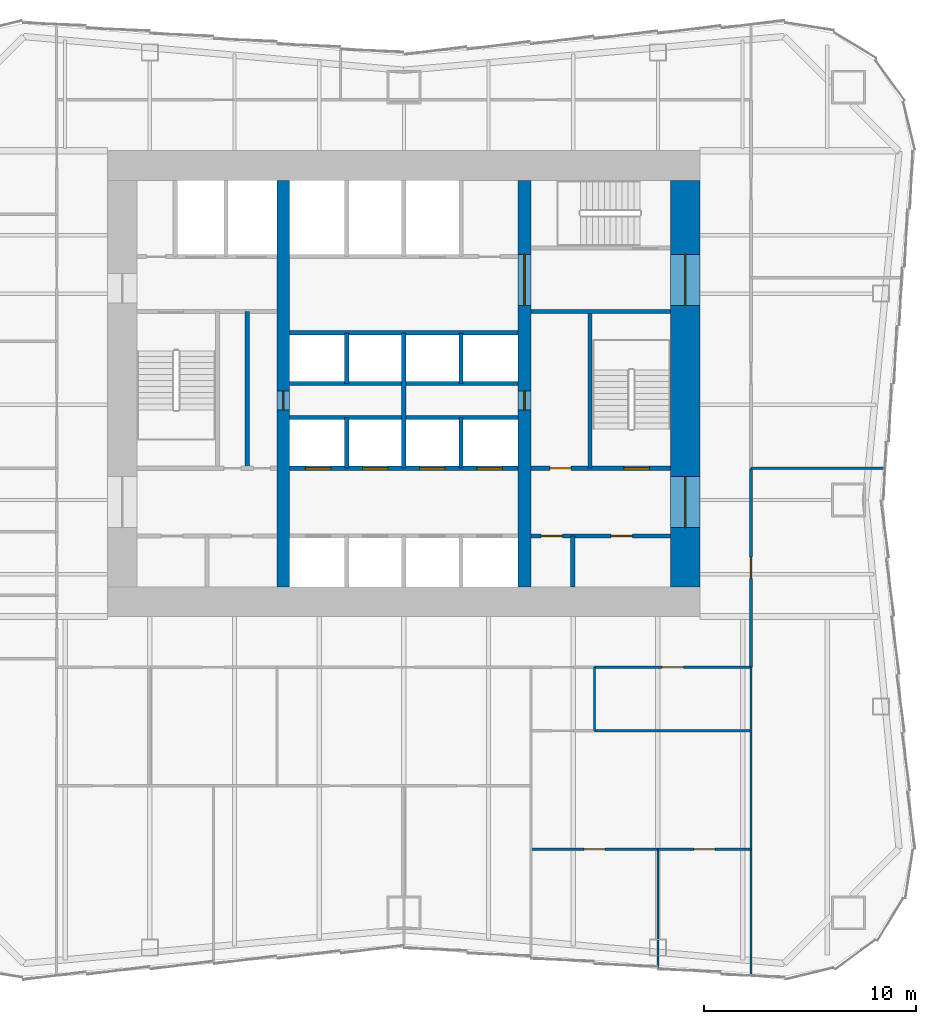
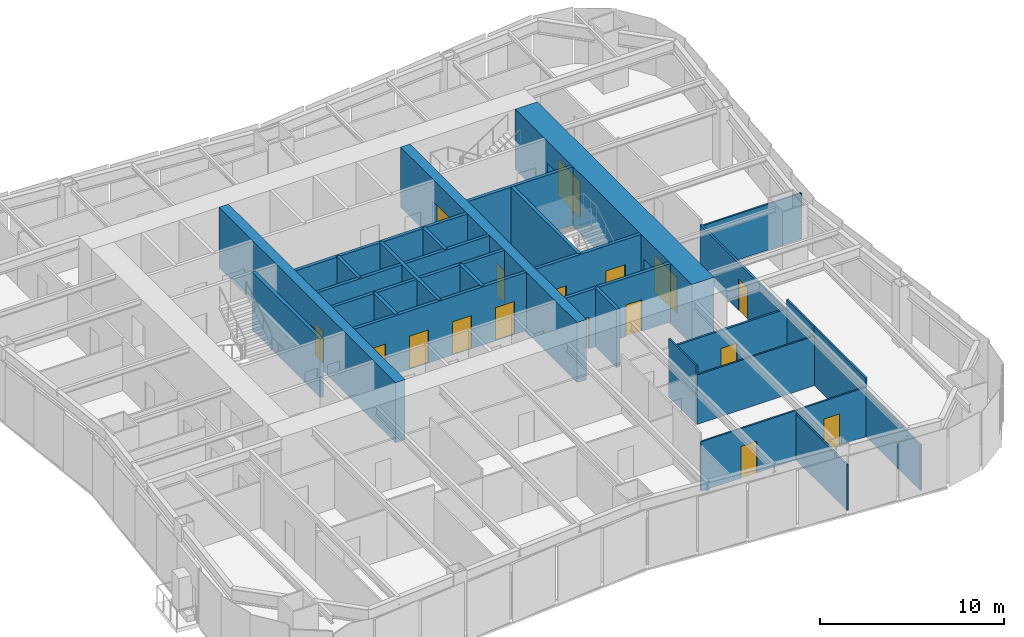
# One storey, part 5 of 8: 29 walls, 17 doors, 17 openings.
"""IFC4 building model written with IfcOpenShell, lengths in metres."""

from ifc_helpers import new_model, si_unit, direction, frame, frame_2d, origin, place, context, subcontext, project, spatial, rectangle, extrude, material, layer, layer_set, type_object, element, fill, save


model = new_model("IFC4")

# Units and contexts
model_context = context("Model", 3, precision=1e-05, world=origin(), true_north=direction((0.0, 1.0)))
body_context = subcontext(model_context, "Body", "Model", "MODEL_VIEW")
ifc_project = project(units=[si_unit("LENGTHUNIT", "METRE"), si_unit("AREAUNIT", "SQUARE_METRE"), si_unit("VOLUMEUNIT", "CUBIC_METRE"), si_unit("PLANEANGLEUNIT", "RADIAN"), si_unit("MASSUNIT", "GRAM", prefix="KILO")], contexts=[model_context])

# Site, building, storey
site_placement = place(None, origin())
site = spatial("IfcSite", under=ifc_project, at=site_placement, CompositionType="ELEMENT")
building_placement = place(site_placement, origin())
building = spatial("IfcBuilding", under=site, at=building_placement, Name="Verdant Reach Tower", CompositionType="ELEMENT")
storey_placement = place(building_placement, frame((0.0, 0.0, 22.0)))
storey = spatial("IfcBuildingStorey", under=building, at=storey_placement, Name="L04", CompositionType="ELEMENT", Elevation=22.0)

# Wall, openings, doors
ifc_material_1 = material(Name="Gypsum board on steel studs", Category="steel")
ifc_layer_1 = layer(ifc_material_1, 0.199951171875)
ifc_layer_set_1 = layer_set([ifc_layer_1], Name="CO-WALL-ROOM")
wall_type_1 = type_object("IfcWallType", Name="CO-WALL-ROOM", PredefinedType="PARTITIONING", material=ifc_layer_set_1)
wall_1_placement = place(storey_placement, frame((6.0, 20.800048828125, 0.0), z_axis=(0.0, 0.0, 1.0), x_axis=(1.0, 0.0, 0.0)))
wall_1 = element("IfcWall", 1, at=wall_1_placement, inside=storey, type_object=wall_type_1, Name="Core partition, L04", PredefinedType="PARTITIONING", context=body_context, shape_type="SweptSolid", body=[
    extrude(rectangle(XDim=6.60009765625, YDim=0.199951171875, at=frame_2d((3.300048828125, 0.0))), origin(), (0.0, 0.0, 1.0), 3.8701171875),
])
opening_1_placement = place(wall_1_placement, frame((0.489990234375, 0.0, 0.0)))
opening_1 = element("IfcOpeningElement", 2, at=opening_1_placement, cuts=wall_1, Name="Opening CD", PredefinedType="OPENING", context=body_context, shape_type="SweptSolid", body=[
    extrude(rectangle(XDim=1.0, YDim=2.10009765625, at=frame_2d((0.5, 1.050048828125))), frame((0.0, 0.10986328125, 0.0), z_axis=(0.0, -1.0, 0.0), x_axis=(1.0, 0.0, 0.0)), (0.0, 0.0, 1.0), 0.219970703125),
])
opening_2_placement = place(wall_1_placement, frame((3.7900390625, 0.0, 0.0)))
opening_2 = element("IfcOpeningElement", 3, at=opening_2_placement, cuts=wall_1, Name="Opening CD", PredefinedType="OPENING", context=body_context, shape_type="SweptSolid", body=[
    extrude(rectangle(XDim=1.0, YDim=2.10009765625, at=frame_2d((0.5, 1.050048828125))), frame((0.0, 0.10986328125, 0.0), z_axis=(0.0, -1.0, 0.0), x_axis=(1.0, 0.0, 0.0)), (0.0, 0.0, 1.0), 0.219970703125),
])
ifc_material_2 = material(Name="Timber", Category="wood")
door_type_1 = type_object("IfcDoorType", Name="CO-DOOR-ROOM", OperationType="NOTDEFINED", PredefinedType="DOOR", material=ifc_material_2)
door_1_placement = place(opening_1_placement, origin())
door_1 = element("IfcDoor", 4, at=door_1_placement, inside=storey, type_object=door_type_1, Name="Core room door, L04", OperationType="SINGLE_SWING_RIGHT", OverallHeight=2.10009765625, OverallWidth=1.0, PredefinedType="DOOR", context=body_context, shape_type="SweptSolid", body=[
    extrude(rectangle(XDim=1.0, YDim=2.10009765625, at=frame_2d((0.5, 1.050048828125))), frame((0.0, 0.02490234375, 0.0), z_axis=(0.0, -1.0, 0.0), x_axis=(1.0, 0.0, 0.0)), (0.0, 0.0, 1.0), 0.050048828125),
])
fill(opening_1, door_1)
door_2_placement = place(opening_2_placement, origin())
door_2 = element("IfcDoor", 5, at=door_2_placement, inside=storey, type_object=door_type_1, Name="Core room door, L04", OperationType="SINGLE_SWING_RIGHT", OverallHeight=2.10009765625, OverallWidth=1.0, PredefinedType="DOOR", context=body_context, shape_type="SweptSolid", body=[
    extrude(rectangle(XDim=1.0, YDim=2.10009765625, at=frame_2d((0.5, 1.050048828125))), frame((0.0, 0.02490234375, 0.0), z_axis=(0.0, -1.0, 0.0), x_axis=(1.0, 0.0, 0.0)), (0.0, 0.0, 1.0), 0.050048828125),
])
fill(opening_2, door_2)

# Walls
wall_2_placement = place(storey_placement, frame((-7.39990234375, 24.0, 0.0), z_axis=(0.0, 0.0, 1.0), x_axis=(0.0, 1.0, 0.0)))
element("IfcWall", 6, at=wall_2_placement, inside=storey, type_object=wall_type_1, Name="Core partition, L04", PredefinedType="PARTITIONING", context=body_context, shape_type="SweptSolid", body=[
    extrude(rectangle(XDim=7.39990234375, YDim=0.199951171875, at=frame_2d((3.699951171875, 0.0))), origin(), (0.0, 0.0, 1.0), 3.8701171875),
])
wall_3_placement = place(storey_placement, frame((7.97998046875, 18.39990234375, 0.0), z_axis=(0.0, 0.0, 1.0), x_axis=(0.0, 1.0, 0.0)))
element("IfcWall", 7, at=wall_3_placement, inside=storey, type_object=wall_type_1, Name="Core partition, L04", PredefinedType="PARTITIONING", context=body_context, shape_type="SweptSolid", body=[
    extrude(rectangle(XDim=2.400146484375, YDim=0.199951171875, at=frame_2d((1.2001953125, 0.0))), origin(), (0.0, 0.0, 1.0), 3.8701171875),
])

# Wall, openings, doors
ifc_material_3 = material(Name="Concrete C40/50", Category="concrete")
ifc_layer_2 = layer(ifc_material_3, 0.199951171875)
ifc_layer_set_2 = layer_set([ifc_layer_2], Name="CO-WALL-SHAFT")
wall_type_2 = type_object("IfcWallType", Name="CO-WALL-SHAFT", PredefinedType="PARTITIONING", material=ifc_layer_set_2)
wall_4_placement = place(storey_placement, frame((-5.39990234375, 24.0, 0.0), z_axis=(0.0, 0.0, 1.0), x_axis=(1.0, 0.0, 0.0)))
wall_4 = element("IfcWall", 8, at=wall_4_placement, inside=storey, type_object=wall_type_2, Name="Lift shaft wall, L04", PredefinedType="PARTITIONING", context=body_context, shape_type="SweptSolid", body=[
    extrude(rectangle(XDim=10.7998046875, YDim=0.199951171875, at=frame_2d((5.39990234375, 0.0))), origin(), (0.0, 0.0, 1.0), 3.8701171875),
])
opening_3_placement = place(wall_4_placement, frame((0.75, 0.0, 0.0)))
opening_3 = element("IfcOpeningElement", 9, at=opening_3_placement, cuts=wall_4, Name="Opening LD-A5", PredefinedType="OPENING", context=body_context, shape_type="SweptSolid", body=[
    extrude(rectangle(XDim=1.199951171875, YDim=2.199951171875, at=frame_2d((0.60009765625, 1.10009765625))), frame((0.0, 0.10986328125, 0.0), z_axis=(0.0, -1.0, 0.0), x_axis=(1.0, 0.0, 0.0)), (0.0, 0.0, 1.0), 0.219970703125),
])
opening_4_placement = place(wall_4_placement, frame((3.449951171875, 0.0, 0.0)))
opening_4 = element("IfcOpeningElement", 10, at=opening_4_placement, cuts=wall_4, Name="Opening LD-A6", PredefinedType="OPENING", context=body_context, shape_type="SweptSolid", body=[
    extrude(rectangle(XDim=1.199951171875, YDim=2.199951171875, at=frame_2d((0.60009765625, 1.10009765625))), frame((0.0, 0.10986328125, 0.0), z_axis=(0.0, -1.0, 0.0), x_axis=(1.0, 0.0, 0.0)), (0.0, 0.0, 1.0), 0.219970703125),
])
opening_5_placement = place(wall_4_placement, frame((6.14990234375, 0.0, 0.0)))
opening_5 = element("IfcOpeningElement", 11, at=opening_5_placement, cuts=wall_4, Name="Opening LD-A7", PredefinedType="OPENING", context=body_context, shape_type="SweptSolid", body=[
    extrude(rectangle(XDim=1.199951171875, YDim=2.199951171875, at=frame_2d((0.60009765625, 1.10009765625))), frame((0.0, 0.10986328125, 0.0), z_axis=(0.0, -1.0, 0.0), x_axis=(1.0, 0.0, 0.0)), (0.0, 0.0, 1.0), 0.219970703125),
])
opening_6_placement = place(wall_4_placement, frame((8.85009765625, 0.0, 0.0)))
opening_6 = element("IfcOpeningElement", 12, at=opening_6_placement, cuts=wall_4, Name="Opening LD-A8", PredefinedType="OPENING", context=body_context, shape_type="SweptSolid", body=[
    extrude(rectangle(XDim=1.199951171875, YDim=2.199951171875, at=frame_2d((0.60009765625, 1.10009765625))), frame((0.0, 0.10986328125, 0.0), z_axis=(0.0, -1.0, 0.0), x_axis=(1.0, 0.0, 0.0)), (0.0, 0.0, 1.0), 0.219970703125),
])
ifc_material_4 = material(Name="Stainless steel", Category="steel")
door_type_2 = type_object("IfcDoorType", Name="CO-DOOR-LANDING", OperationType="SLIDING_TO_LEFT", PredefinedType="DOOR", material=ifc_material_4)
door_3_placement = place(opening_3_placement, origin())
door_3 = element("IfcDoor", 13, at=door_3_placement, inside=storey, type_object=door_type_2, Name="Landing door A5, L04", OperationType="SLIDING_TO_LEFT", OverallHeight=2.199951171875, OverallWidth=1.199951171875, PredefinedType="DOOR", context=body_context, shape_type="SweptSolid", body=[
    extrude(rectangle(XDim=1.199951171875, YDim=2.199951171875, at=frame_2d((0.60009765625, 1.10009765625))), frame((0.0, 0.02490234375, 0.0), z_axis=(0.0, -1.0, 0.0), x_axis=(1.0, 0.0, 0.0)), (0.0, 0.0, 1.0), 0.050048828125),
])
fill(opening_3, door_3)
door_4_placement = place(opening_4_placement, origin())
door_4 = element("IfcDoor", 14, at=door_4_placement, inside=storey, type_object=door_type_2, Name="Landing door A6, L04", OperationType="SLIDING_TO_LEFT", OverallHeight=2.199951171875, OverallWidth=1.199951171875, PredefinedType="DOOR", context=body_context, shape_type="SweptSolid", body=[
    extrude(rectangle(XDim=1.199951171875, YDim=2.199951171875, at=frame_2d((0.60009765625, 1.10009765625))), frame((0.0, 0.02490234375, 0.0), z_axis=(0.0, -1.0, 0.0), x_axis=(1.0, 0.0, 0.0)), (0.0, 0.0, 1.0), 0.050048828125),
])
fill(opening_4, door_4)
door_5_placement = place(opening_5_placement, origin())
door_5 = element("IfcDoor", 15, at=door_5_placement, inside=storey, type_object=door_type_2, Name="Landing door A7, L04", OperationType="SLIDING_TO_LEFT", OverallHeight=2.199951171875, OverallWidth=1.199951171875, PredefinedType="DOOR", context=body_context, shape_type="SweptSolid", body=[
    extrude(rectangle(XDim=1.199951171875, YDim=2.199951171875, at=frame_2d((0.60009765625, 1.10009765625))), frame((0.0, 0.02490234375, 0.0), z_axis=(0.0, -1.0, 0.0), x_axis=(1.0, 0.0, 0.0)), (0.0, 0.0, 1.0), 0.050048828125),
])
fill(opening_5, door_5)
door_6_placement = place(opening_6_placement, origin())
door_6 = element("IfcDoor", 16, at=door_6_placement, inside=storey, type_object=door_type_2, Name="Landing door A8, L04", OperationType="SLIDING_TO_LEFT", OverallHeight=2.199951171875, OverallWidth=1.199951171875, PredefinedType="DOOR", context=body_context, shape_type="SweptSolid", body=[
    extrude(rectangle(XDim=1.199951171875, YDim=2.199951171875, at=frame_2d((0.60009765625, 1.10009765625))), frame((0.0, 0.02490234375, 0.0), z_axis=(0.0, -1.0, 0.0), x_axis=(1.0, 0.0, 0.0)), (0.0, 0.0, 1.0), 0.050048828125),
])
fill(opening_6, door_6)

# Walls
for number, where, z_axis, x_axis, name in (
    (17, (-5.39990234375, 26.39990234375, 0.0), (0.0, 0.0, 1.0), (1.0, 0.0, 0.0), "Lift shaft wall, L04"),
    (18, (-5.39990234375, 28.0, 0.0), (0.0, 0.0, 1.0), (1.0, 0.0, 0.0), "Lift shaft wall, L04"),
    (19, (-5.39990234375, 30.39990234375, 0.0), (0.0, 0.0, 1.0), (1.0, 0.0, 0.0), "Lift shaft wall, L04"),
):
    element("IfcWall", number, at=place(storey_placement, frame(where, z_axis=z_axis, x_axis=x_axis)), inside=storey, type_object=wall_type_2, Name=name, PredefinedType="PARTITIONING", context=body_context, shape_type="SweptSolid", body=[
        extrude(rectangle(XDim=10.7998046875, YDim=0.199951171875, at=frame_2d((5.39990234375, 0.0))), origin(), (0.0, 0.0, 1.0), 3.8701171875),
    ])
for number, where, z_axis, x_axis, name in (
    (20, (-2.699951171875, 24.0, 0.0), (0.0, 0.0, 1.0), (0.0, 1.0, 0.0), "Lift shaft wall, L04"),
    (21, (-2.699951171875, 28.0, 0.0), (0.0, 0.0, 1.0), (0.0, 1.0, 0.0), "Lift shaft wall, L04"),
):
    element("IfcWall", number, at=place(storey_placement, frame(where, z_axis=z_axis, x_axis=x_axis)), inside=storey, type_object=wall_type_2, Name=name, PredefinedType="PARTITIONING", context=body_context, shape_type="SweptSolid", body=[
        extrude(rectangle(XDim=2.39990234375, YDim=0.199951171875, at=frame_2d((1.199951171875, 0.0))), origin(), (0.0, 0.0, 1.0), 3.8701171875),
    ])
wall_5_placement = place(storey_placement, frame((0.0, 24.0, 0.0), z_axis=(0.0, 0.0, 1.0), x_axis=(0.0, 1.0, 0.0)))
element("IfcWall", 22, at=wall_5_placement, inside=storey, type_object=wall_type_2, Name="Lift shaft wall, L04", PredefinedType="PARTITIONING", context=body_context, shape_type="SweptSolid", body=[
    extrude(rectangle(XDim=6.39990234375, YDim=0.199951171875, at=frame_2d((3.199951171875, 0.0))), origin(), (0.0, 0.0, 1.0), 3.8701171875),
])
for number, where, z_axis, x_axis, name in (
    (23, (2.699951171875, 24.0, 0.0), (0.0, 0.0, 1.0), (0.0, 1.0, 0.0), "Lift shaft wall, L04"),
    (24, (2.699951171875, 28.0, 0.0), (0.0, 0.0, 1.0), (0.0, 1.0, 0.0), "Lift shaft wall, L04"),
):
    element("IfcWall", number, at=place(storey_placement, frame(where, z_axis=z_axis, x_axis=x_axis)), inside=storey, type_object=wall_type_2, Name=name, PredefinedType="PARTITIONING", context=body_context, shape_type="SweptSolid", body=[
        extrude(rectangle(XDim=2.39990234375, YDim=0.199951171875, at=frame_2d((1.199951171875, 0.0))), origin(), (0.0, 0.0, 1.0), 3.8701171875),
    ])

# Wall, openings, doors
ifc_layer_3 = layer(ifc_material_3, 0.199951171875)
ifc_layer_set_3 = layer_set([ifc_layer_3], Name="CO-WALL-STAIR")
wall_type_3 = type_object("IfcWallType", Name="CO-WALL-STAIR", PredefinedType="PARTITIONING", material=ifc_layer_set_3)
wall_6_placement = place(storey_placement, frame((6.0, 24.0, 0.0), z_axis=(0.0, 0.0, 1.0), x_axis=(1.0, 0.0, 0.0)))
wall_6 = element("IfcWall", 25, at=wall_6_placement, inside=storey, type_object=wall_type_3, Name="Stair enclosure wall, L04", PredefinedType="PARTITIONING", context=body_context, shape_type="SweptSolid", body=[
    extrude(rectangle(XDim=6.60009765625, YDim=0.199951171875, at=frame_2d((3.300048828125, 0.0))), origin(), (0.0, 0.0, 1.0), 3.8701171875),
])
opening_7_placement = place(wall_6_placement, frame((0.89990234375, 0.0, 0.0)))
opening_7 = element("IfcOpeningElement", 26, at=opening_7_placement, cuts=wall_6, Name="Opening CD", PredefinedType="OPENING", context=body_context, shape_type="SweptSolid", body=[
    extrude(rectangle(XDim=1.0, YDim=2.10009765625, at=frame_2d((0.5, 1.050048828125))), frame((0.0, 0.10986328125, 0.0), z_axis=(0.0, -1.0, 0.0), x_axis=(1.0, 0.0, 0.0)), (0.0, 0.0, 1.0), 0.219970703125),
])
opening_8_placement = place(wall_6_placement, frame((4.39990234375, 0.0, 0.0)))
opening_8 = element("IfcOpeningElement", 27, at=opening_8_placement, cuts=wall_6, Name="Opening SD", PredefinedType="OPENING", context=body_context, shape_type="SweptSolid", body=[
    extrude(rectangle(XDim=1.199951171875, YDim=2.199951171875, at=frame_2d((0.60009765625, 1.10009765625))), frame((0.0, 0.10986328125, 0.0), z_axis=(0.0, -1.0, 0.0), x_axis=(1.0, 0.0, 0.0)), (0.0, 0.0, 1.0), 0.219970703125),
])
door_7_placement = place(opening_7_placement, origin())
door_7 = element("IfcDoor", 28, at=door_7_placement, inside=storey, type_object=door_type_1, Name="Core room door, L04", OperationType="SINGLE_SWING_RIGHT", OverallHeight=2.10009765625, OverallWidth=1.0, PredefinedType="DOOR", context=body_context, shape_type="SweptSolid", body=[
    extrude(rectangle(XDim=1.0, YDim=2.10009765625, at=frame_2d((0.5, 1.050048828125))), frame((0.0, 0.02490234375, 0.0), z_axis=(0.0, -1.0, 0.0), x_axis=(1.0, 0.0, 0.0)), (0.0, 0.0, 1.0), 0.050048828125),
])
fill(opening_7, door_7)
ifc_material_5 = material(Name="Steel", Category="steel")
door_type_3 = type_object("IfcDoorType", Name="CO-DOOR-STAIR", OperationType="NOTDEFINED", PredefinedType="DOOR", material=ifc_material_5)
door_8_placement = place(opening_8_placement, origin())
door_8 = element("IfcDoor", 29, at=door_8_placement, inside=storey, type_object=door_type_3, Name="Stair door, L04", OperationType="SINGLE_SWING_LEFT", OverallHeight=2.199951171875, OverallWidth=1.199951171875, PredefinedType="DOOR", context=body_context, shape_type="SweptSolid", body=[
    extrude(rectangle(XDim=1.199951171875, YDim=2.199951171875, at=frame_2d((0.60009765625, 1.10009765625))), frame((0.0, 0.02490234375, 0.0), z_axis=(0.0, -1.0, 0.0), x_axis=(1.0, 0.0, 0.0)), (0.0, 0.0, 1.0), 0.050048828125),
])
fill(opening_8, door_8)

# Walls
wall_7_placement = place(storey_placement, frame((6.0, 31.39990234375, 0.0), z_axis=(0.0, 0.0, 1.0), x_axis=(1.0, 0.0, 0.0)))
element("IfcWall", 30, at=wall_7_placement, inside=storey, type_object=wall_type_3, Name="Stair enclosure wall, L04", PredefinedType="PARTITIONING", context=body_context, shape_type="SweptSolid", body=[
    extrude(rectangle(XDim=6.60009765625, YDim=0.199951171875, at=frame_2d((3.300048828125, 0.0))), origin(), (0.0, 0.0, 1.0), 3.8701171875),
])
wall_8_placement = place(storey_placement, frame((8.800048828125, 24.0, 0.0), z_axis=(0.0, 0.0, 1.0), x_axis=(0.0, 1.0, 0.0)))
element("IfcWall", 31, at=wall_8_placement, inside=storey, type_object=wall_type_3, Name="Stair enclosure wall, L04", PredefinedType="PARTITIONING", context=body_context, shape_type="SweptSolid", body=[
    extrude(rectangle(XDim=7.39990234375, YDim=0.199951171875, at=frame_2d((3.699951171875, 0.0))), origin(), (0.0, 0.0, 1.0), 3.8701171875),
])
ifc_layer_4 = layer(ifc_material_1, 0.10009765625)
ifc_layer_set_4 = layer_set([ifc_layer_4], Name="FL-W1 Partition 100")
wall_type_4 = type_object("IfcWallType", Name="FL-W1 Partition 100", PredefinedType="PARTITIONING", material=ifc_layer_set_4)
wall_9_placement = place(storey_placement, frame((9.0, 11.60009765625, 0.0), z_axis=(0.0, 0.0, 1.0), x_axis=(0.0, 1.0, 0.0)))
element("IfcWall", 32, at=wall_9_placement, inside=storey, type_object=wall_type_4, Name="Partition 04.33", PredefinedType="PARTITIONING", context=body_context, shape_type="SweptSolid", body=[
    extrude(rectangle(XDim=3.0, YDim=0.10009765625, at=frame_2d((1.5, 0.0))), origin(), (0.0, 0.0, 1.0), 3.8701171875),
])
wall_10_placement = place(storey_placement, frame((8.99609375, 11.60009765625, 0.0), z_axis=(0.0, 0.0, 1.0), x_axis=(1.0, 0.0, 0.0)))
element("IfcWall", 33, at=wall_10_placement, inside=storey, type_object=wall_type_4, Name="Partition 04.35", PredefinedType="PARTITIONING", context=body_context, shape_type="SweptSolid", body=[
    extrude(rectangle(XDim=7.40380859375, YDim=0.10009765625, at=frame_2d((3.701904296875, 0.0))), origin(), (0.0, 0.0, 1.0), 3.2900390625),
])
wall_11_placement = place(storey_placement, frame((16.39990234375, 11.595947265625, 0.0), z_axis=(0.0, 0.0, 1.0), x_axis=(0.0, 1.0, 0.0)))
element("IfcWall", 34, at=wall_11_placement, inside=storey, type_object=wall_type_4, Name="Partition 04.36", PredefinedType="PARTITIONING", context=body_context, shape_type="SweptSolid", body=[
    extrude(rectangle(XDim=3.008056640625, YDim=0.10009765625, at=frame_2d((1.50390625, 0.0))), origin(), (0.0, 0.0, 1.0), 3.8701171875),
])

# Wall, opening, door
wall_12_placement = place(storey_placement, frame((12.0, 6.0, 0.0), z_axis=(0.0, 0.0, 1.0), x_axis=(-1.0, 0.0, 0.0)))
wall_12 = element("IfcWall", 35, at=wall_12_placement, inside=storey, type_object=wall_type_4, Name="Partition 04.37", PredefinedType="PARTITIONING", context=body_context, shape_type="SweptSolid", body=[
    extrude(rectangle(XDim=6.0, YDim=0.10009765625, at=frame_2d((3.0, 0.0))), origin(), (0.0, 0.0, 1.0), 3.2900390625),
])
opening_9_placement = place(wall_12_placement, frame((2.5, 0.0, 0.0)))
opening_9 = element("IfcOpeningElement", 36, at=opening_9_placement, cuts=wall_12, Name="Opening D3", PredefinedType="OPENING", context=body_context, shape_type="SweptSolid", body=[
    extrude(rectangle(XDim=1.0, YDim=2.10009765625, at=frame_2d((0.5, 1.050048828125))), frame((0.0, 0.06005859375, 0.0), z_axis=(0.0, -1.0, 0.0), x_axis=(1.0, 0.0, 0.0)), (0.0, 0.0, 1.0), 0.1201171875),
])
ifc_material_6 = material(Name="Painted timber door leaf", Category="wood")
door_type_4 = type_object("IfcDoorType", Name="FL-D3 Door 1000x2100", OperationType="NOTDEFINED", PredefinedType="DOOR", material=ifc_material_6)
door_9_placement = place(opening_9_placement, origin())
door_9 = element("IfcDoor", 37, at=door_9_placement, inside=storey, type_object=door_type_4, Name="Door 04-022", OperationType="SINGLE_SWING_RIGHT", OverallHeight=2.10009765625, OverallWidth=1.0, PredefinedType="DOOR", context=body_context, shape_type="SweptSolid", body=[
    extrude(rectangle(XDim=1.0, YDim=2.10009765625, at=frame_2d((0.5, 1.050048828125))), frame((0.0, 0.02490234375, 0.0), z_axis=(0.0, -1.0, 0.0), x_axis=(1.0, 0.0, 0.0)), (0.0, 0.0, 1.0), 0.050048828125),
])
fill(opening_9, door_9)

wall_13_placement = place(storey_placement, frame((16.39990234375, 6.0, 0.0), z_axis=(0.0, 0.0, 1.0), x_axis=(-1.0, 0.0, 0.0)))
wall_13 = element("IfcWall", 38, at=wall_13_placement, inside=storey, type_object=wall_type_4, Name="Partition 04.38", PredefinedType="PARTITIONING", context=body_context, shape_type="SweptSolid", body=[
    extrude(rectangle(XDim=4.39990234375, YDim=0.10009765625, at=frame_2d((2.199951171875, 0.0))), origin(), (0.0, 0.0, 1.0), 3.2900390625),
])
opening_10_placement = place(wall_13_placement, frame((1.699951171875, 0.0, 0.0)))
opening_10 = element("IfcOpeningElement", 39, at=opening_10_placement, cuts=wall_13, Name="Opening D3", PredefinedType="OPENING", context=body_context, shape_type="SweptSolid", body=[
    extrude(rectangle(XDim=1.0, YDim=2.10009765625, at=frame_2d((0.5, 1.050048828125))), frame((0.0, 0.06005859375, 0.0), z_axis=(0.0, -1.0, 0.0), x_axis=(1.0, 0.0, 0.0)), (0.0, 0.0, 1.0), 0.1201171875),
])
door_10_placement = place(opening_10_placement, origin())
door_10 = element("IfcDoor", 40, at=door_10_placement, inside=storey, type_object=door_type_4, Name="Door 04-023", OperationType="SINGLE_SWING_LEFT", OverallHeight=2.10009765625, OverallWidth=1.0, PredefinedType="DOOR", context=body_context, shape_type="SweptSolid", body=[
    extrude(rectangle(XDim=1.0, YDim=2.10009765625, at=frame_2d((0.5, 1.050048828125))), frame((0.0, 0.02490234375, 0.0), z_axis=(0.0, -1.0, 0.0), x_axis=(1.0, 0.0, 0.0)), (0.0, 0.0, 1.0), 0.050048828125),
])
fill(opening_10, door_10)

# Walls
wall_14_placement = place(storey_placement, frame((16.39990234375, 5.99609375, 0.0), z_axis=(0.0, 0.0, 1.0), x_axis=(0.0, 1.0, 0.0)))
element("IfcWall", 41, at=wall_14_placement, inside=storey, type_object=wall_type_4, Name="Partition 04.39", PredefinedType="PARTITIONING", context=body_context, shape_type="SweptSolid", body=[
    extrude(rectangle(XDim=5.60791015625, YDim=0.10009765625, at=frame_2d((2.803955078125, 0.0))), origin(), (0.0, 0.0, 1.0), 3.8701171875),
])
wall_15_placement = place(storey_placement, frame((12.0, 0.419921875, 0.0), z_axis=(0.0, 0.0, 1.0), x_axis=(0.0, 1.0, 0.0)))
element("IfcWall", 42, at=wall_15_placement, inside=storey, type_object=wall_type_4, Name="Partition 04.40", PredefinedType="PARTITIONING", context=body_context, shape_type="SweptSolid", body=[
    extrude(rectangle(XDim=5.580078125, YDim=0.10009765625, at=frame_2d((2.7900390625, 0.0))), origin(), (0.0, 0.0, 1.0), 3.0400390625),
])
wall_16_placement = place(storey_placement, frame((16.39990234375, 0.05322265625, 0.0), z_axis=(0.0, 0.0, 1.0), x_axis=(0.0, 1.0, 0.0)))
element("IfcWall", 43, at=wall_16_placement, inside=storey, type_object=wall_type_4, Name="Partition 04.41", PredefinedType="PARTITIONING", context=body_context, shape_type="SweptSolid", body=[
    extrude(rectangle(XDim=5.95068359375, YDim=0.10009765625, at=frame_2d((2.975341796875, 0.0))), origin(), (0.0, 0.0, 1.0), 3.0400390625),
])
wall_17_placement = place(storey_placement, frame((22.71630859375, 24.0, 0.0), z_axis=(0.0, 0.0, 1.0), x_axis=(-1.0, 0.0, 0.0)))
element("IfcWall", 44, at=wall_17_placement, inside=storey, type_object=wall_type_4, Name="Partition 04.51", PredefinedType="PARTITIONING", context=body_context, shape_type="SweptSolid", body=[
    extrude(rectangle(XDim=6.31640625, YDim=0.10009765625, at=frame_2d((3.158203125, 0.0))), origin(), (0.0, 0.0, 1.0), 3.0400390625),
])

# Wall, opening, door
ifc_material_7 = material(Name="Gypsum board on steel studs, fire rated", Category="steel")
ifc_layer_5 = layer(ifc_material_7, 0.125)
ifc_layer_set_5 = layer_set([ifc_layer_5], Name="FL-W2 Corridor wall 125")
wall_type_5 = type_object("IfcWallType", Name="FL-W2 Corridor wall 125", PredefinedType="PARTITIONING", material=ifc_layer_set_5)
wall_18_placement = place(storey_placement, frame((16.39990234375, 14.60009765625, 0.0), z_axis=(0.0, 0.0, 1.0), x_axis=(-1.0, 0.0, 0.0)))
wall_18 = element("IfcWall", 45, at=wall_18_placement, inside=storey, type_object=wall_type_5, Name="Partition 04.05", PredefinedType="PARTITIONING", context=body_context, shape_type="SweptSolid", body=[
    extrude(rectangle(XDim=7.39990234375, YDim=0.125, at=frame_2d((3.699951171875, 0.0))), origin(), (0.0, 0.0, 1.0), 3.2900390625),
])
opening_11_placement = place(wall_18_placement, frame((3.199951171875, 0.0, 0.0)))
opening_11 = element("IfcOpeningElement", 46, at=opening_11_placement, cuts=wall_18, Name="Opening D2", PredefinedType="OPENING", context=body_context, shape_type="SweptSolid", body=[
    extrude(rectangle(XDim=1.0, YDim=2.10009765625, at=frame_2d((0.5, 1.050048828125))), frame((0.0, 0.072509765625, 0.0), z_axis=(0.0, -1.0, 0.0), x_axis=(1.0, 0.0, 0.0)), (0.0, 0.0, 1.0), 0.14501953125),
])
ifc_material_8 = material(Name="Timber door leaf, fire rated", Category="wood")
door_type_5 = type_object("IfcDoorType", Name="FL-D2 Entrance door 1000x2100 FD30", OperationType="NOTDEFINED", PredefinedType="DOOR", material=ifc_material_8)
door_11_placement = place(opening_11_placement, origin())
door_11 = element("IfcDoor", 47, at=door_11_placement, inside=storey, type_object=door_type_5, Name="Door 04-005", OperationType="SINGLE_SWING_LEFT", OverallHeight=2.10009765625, OverallWidth=1.0, PredefinedType="DOOR", context=body_context, shape_type="SweptSolid", body=[
    extrude(rectangle(XDim=1.0, YDim=2.10009765625, at=frame_2d((0.5, 1.050048828125))), frame((0.0, 0.02490234375, 0.0), z_axis=(0.0, -1.0, 0.0), x_axis=(1.0, 0.0, 0.0)), (0.0, 0.0, 1.0), 0.050048828125),
])
fill(opening_11, door_11)

wall_19_placement = place(storey_placement, frame((16.39990234375, 24.0, 0.0), z_axis=(0.0, 0.0, 1.0), x_axis=(0.0, -1.0, 0.0)))
wall_19 = element("IfcWall", 48, at=wall_19_placement, inside=storey, type_object=wall_type_5, Name="Partition 04.15", PredefinedType="PARTITIONING", context=body_context, shape_type="SweptSolid", body=[
    extrude(rectangle(XDim=9.404052734375, YDim=0.125, at=frame_2d((4.7021484375, 0.0))), origin(), (0.0, 0.0, 1.0), 3.139892578125),
])
opening_12_placement = place(wall_19_placement, frame((4.201904296875, 0.0, 0.0)))
opening_12 = element("IfcOpeningElement", 49, at=opening_12_placement, cuts=wall_19, Name="Opening D2", PredefinedType="OPENING", context=body_context, shape_type="SweptSolid", body=[
    extrude(rectangle(XDim=1.0, YDim=2.10009765625, at=frame_2d((0.5, 1.050048828125))), frame((0.0, 0.072509765625, 0.0), z_axis=(0.0, -1.0, 0.0), x_axis=(1.0, 0.0, 0.0)), (0.0, 0.0, 1.0), 0.14501953125),
])
door_12_placement = place(opening_12_placement, origin())
door_12 = element("IfcDoor", 50, at=door_12_placement, inside=storey, type_object=door_type_5, Name="Door 04-014", OperationType="SINGLE_SWING_RIGHT", OverallHeight=2.10009765625, OverallWidth=1.0, PredefinedType="DOOR", context=body_context, shape_type="SweptSolid", body=[
    extrude(rectangle(XDim=1.0, YDim=2.10009765625, at=frame_2d((0.5, 1.050048828125))), frame((0.0, 0.02490234375, 0.0), z_axis=(0.0, -1.0, 0.0), x_axis=(1.0, 0.0, 0.0)), (0.0, 0.0, 1.0), 0.050048828125),
])
fill(opening_12, door_12)

# Wall, openings, doors
ifc_material_9 = material(Name="Concrete C70/85", Category="concrete")
ifc_layer_6 = layer(ifc_material_9, 1.39990234375)
ifc_layer_set_6 = layer_set([ifc_layer_6], Name="ST-CORE-WALL-1400")
wall_type_6 = type_object("IfcWallType", Name="ST-CORE-WALL-1400", PredefinedType="SHEAR", material=ifc_layer_set_6)
wall_20_placement = place(storey_placement, frame((13.300048828125, 18.39990234375, -0.1298828125), z_axis=(0.0, 0.0, 1.0), x_axis=(0.0, 1.0, 0.0)))
wall_20 = element("IfcWall", 51, at=wall_20_placement, inside=storey, type_object=wall_type_6, Name="Core wall E, L04", PredefinedType="SHEAR", context=body_context, shape_type="SweptSolid", body=[
    extrude(rectangle(XDim=19.2001953125, YDim=1.39990234375, at=frame_2d((9.60009765625, 0.0))), origin(), (0.0, 0.0, 1.0), 4.0),
])
opening_13_placement = place(wall_20_placement, frame((2.800048828125, 0.0, 0.1298828125)))
opening_13 = element("IfcOpeningElement", 52, at=opening_13_placement, cuts=wall_20, Name="Opening LB", PredefinedType="OPENING", context=body_context, shape_type="SweptSolid", body=[
    extrude(rectangle(XDim=2.39990234375, YDim=2.39990234375, at=frame_2d((1.199951171875, 1.199951171875))), frame((0.0, 0.7099609375, 0.0), z_axis=(0.0, -1.0, 0.0), x_axis=(1.0, 0.0, 0.0)), (0.0, 0.0, 1.0), 1.419921875),
])
opening_14_placement = place(wall_20_placement, frame((13.300048828125, 0.0, 0.1298828125)))
opening_14 = element("IfcOpeningElement", 53, at=opening_14_placement, cuts=wall_20, Name="Opening LB", PredefinedType="OPENING", context=body_context, shape_type="SweptSolid", body=[
    extrude(rectangle(XDim=2.39990234375, YDim=2.39990234375, at=frame_2d((1.199951171875, 1.199951171875))), frame((0.0, 0.7099609375, 0.0), z_axis=(0.0, -1.0, 0.0), x_axis=(1.0, 0.0, 0.0)), (0.0, 0.0, 1.0), 1.419921875),
])
ifc_material_10 = material(Name="Glass and steel", Category="steel")
door_type_6 = type_object("IfcDoorType", Name="CO-DOOR-LOBBY", OperationType="DOUBLE_DOOR_SINGLE_SWING", PredefinedType="DOOR", material=ifc_material_10)
door_13_placement = place(opening_13_placement, origin())
door_13 = element("IfcDoor", 54, at=door_13_placement, inside=storey, type_object=door_type_6, Name="Core entrance door, L04", OperationType="DOUBLE_DOOR_SINGLE_SWING", OverallHeight=2.39990234375, OverallWidth=2.39990234375, PredefinedType="DOOR", context=body_context, shape_type="SweptSolid", body=[
    extrude(rectangle(XDim=2.39990234375, YDim=2.39990234375, at=frame_2d((1.199951171875, 1.199951171875))), frame((0.0, 0.02490234375, 0.0), z_axis=(0.0, -1.0, 0.0), x_axis=(1.0, 0.0, 0.0)), (0.0, 0.0, 1.0), 0.050048828125),
])
fill(opening_13, door_13)
door_14_placement = place(opening_14_placement, origin())
door_14 = element("IfcDoor", 55, at=door_14_placement, inside=storey, type_object=door_type_6, Name="Core entrance door, L04", OperationType="DOUBLE_DOOR_SINGLE_SWING", OverallHeight=2.39990234375, OverallWidth=2.39990234375, PredefinedType="DOOR", context=body_context, shape_type="SweptSolid", body=[
    extrude(rectangle(XDim=2.39990234375, YDim=2.39990234375, at=frame_2d((1.199951171875, 1.199951171875))), frame((0.0, 0.02490234375, 0.0), z_axis=(0.0, -1.0, 0.0), x_axis=(1.0, 0.0, 0.0)), (0.0, 0.0, 1.0), 0.050048828125),
])
fill(opening_14, door_14)

# Wall, opening, door
ifc_layer_7 = layer(ifc_material_9, 0.60009765625)
ifc_layer_set_7 = layer_set([ifc_layer_7], Name="ST-CORE-WALL-600")
wall_type_7 = type_object("IfcWallType", Name="ST-CORE-WALL-600", PredefinedType="SHEAR", material=ifc_layer_set_7)
wall_21_placement = place(storey_placement, frame((-5.699951171875, 18.39990234375, -0.1298828125), z_axis=(0.0, 0.0, 1.0), x_axis=(0.0, 1.0, 0.0)))
wall_21 = element("IfcWall", 56, at=wall_21_placement, inside=storey, type_object=wall_type_7, Name="Core wall XW, L04", PredefinedType="SHEAR", context=body_context, shape_type="SweptSolid", body=[
    extrude(rectangle(XDim=19.2001953125, YDim=0.60009765625, at=frame_2d((9.60009765625, 0.0))), origin(), (0.0, 0.0, 1.0), 4.0),
])
opening_15_placement = place(wall_21_placement, frame((8.35009765625, 0.0, 0.1298828125)))
opening_15 = element("IfcOpeningElement", 57, at=opening_15_placement, cuts=wall_21, Name="Opening RD", PredefinedType="OPENING", context=body_context, shape_type="SweptSolid", body=[
    extrude(rectangle(XDim=0.89990234375, YDim=2.10009765625, at=frame_2d((0.449951171875, 1.050048828125))), frame((0.0, 0.31005859375, 0.0), z_axis=(0.0, -1.0, 0.0), x_axis=(1.0, 0.0, 0.0)), (0.0, 0.0, 1.0), 0.6201171875),
])
door_type_7 = type_object("IfcDoorType", Name="CO-DOOR-RISER", OperationType="NOTDEFINED", PredefinedType="DOOR", material=ifc_material_5)
door_15_placement = place(opening_15_placement, origin())
door_15 = element("IfcDoor", 58, at=door_15_placement, inside=storey, type_object=door_type_7, Name="Riser door, L04", OperationType="SINGLE_SWING_LEFT", OverallHeight=2.10009765625, OverallWidth=0.89990234375, PredefinedType="DOOR", context=body_context, shape_type="SweptSolid", body=[
    extrude(rectangle(XDim=0.89990234375, YDim=2.10009765625, at=frame_2d((0.449951171875, 1.050048828125))), frame((0.0, 0.02490234375, 0.0), z_axis=(0.0, -1.0, 0.0), x_axis=(1.0, 0.0, 0.0)), (0.0, 0.0, 1.0), 0.050048828125),
])
fill(opening_15, door_15)

# Wall, openings, doors
wall_22_placement = place(storey_placement, frame((5.699951171875, 18.39990234375, -0.1298828125), z_axis=(0.0, 0.0, 1.0), x_axis=(0.0, 1.0, 0.0)))
wall_22 = element("IfcWall", 59, at=wall_22_placement, inside=storey, type_object=wall_type_7, Name="Core wall XE, L04", PredefinedType="SHEAR", context=body_context, shape_type="SweptSolid", body=[
    extrude(rectangle(XDim=19.2001953125, YDim=0.60009765625, at=frame_2d((9.60009765625, 0.0))), origin(), (0.0, 0.0, 1.0), 4.0),
])
opening_16_placement = place(wall_22_placement, frame((8.35009765625, 0.0, 0.1298828125)))
opening_16 = element("IfcOpeningElement", 60, at=opening_16_placement, cuts=wall_22, Name="Opening RD", PredefinedType="OPENING", context=body_context, shape_type="SweptSolid", body=[
    extrude(rectangle(XDim=0.89990234375, YDim=2.10009765625, at=frame_2d((0.449951171875, 1.050048828125))), frame((0.0, 0.31005859375, 0.0), z_axis=(0.0, -1.0, 0.0), x_axis=(1.0, 0.0, 0.0)), (0.0, 0.0, 1.0), 0.6201171875),
])
opening_17_placement = place(wall_22_placement, frame((13.300048828125, 0.0, 0.1298828125)))
opening_17 = element("IfcOpeningElement", 61, at=opening_17_placement, cuts=wall_22, Name="Opening LB", PredefinedType="OPENING", context=body_context, shape_type="SweptSolid", body=[
    extrude(rectangle(XDim=2.39990234375, YDim=2.39990234375, at=frame_2d((1.199951171875, 1.199951171875))), frame((0.0, 0.31005859375, 0.0), z_axis=(0.0, -1.0, 0.0), x_axis=(1.0, 0.0, 0.0)), (0.0, 0.0, 1.0), 0.6201171875),
])
door_16_placement = place(opening_17_placement, origin())
door_16 = element("IfcDoor", 62, at=door_16_placement, inside=storey, type_object=door_type_6, Name="Core entrance door, L04", OperationType="DOUBLE_DOOR_SINGLE_SWING", OverallHeight=2.39990234375, OverallWidth=2.39990234375, PredefinedType="DOOR", context=body_context, shape_type="SweptSolid", body=[
    extrude(rectangle(XDim=2.39990234375, YDim=2.39990234375, at=frame_2d((1.199951171875, 1.199951171875))), frame((0.0, 0.02490234375, 0.0), z_axis=(0.0, -1.0, 0.0), x_axis=(1.0, 0.0, 0.0)), (0.0, 0.0, 1.0), 0.050048828125),
])
fill(opening_17, door_16)
door_17_placement = place(opening_16_placement, origin())
door_17 = element("IfcDoor", 63, at=door_17_placement, inside=storey, type_object=door_type_7, Name="Riser door, L04", OperationType="SINGLE_SWING_RIGHT", OverallHeight=2.10009765625, OverallWidth=0.89990234375, PredefinedType="DOOR", context=body_context, shape_type="SweptSolid", body=[
    extrude(rectangle(XDim=0.89990234375, YDim=2.10009765625, at=frame_2d((0.449951171875, 1.050048828125))), frame((0.0, 0.02490234375, 0.0), z_axis=(0.0, -1.0, 0.0), x_axis=(1.0, 0.0, 0.0)), (0.0, 0.0, 1.0), 0.050048828125),
])
fill(opening_16, door_17)

save(model, "model.ifc")
